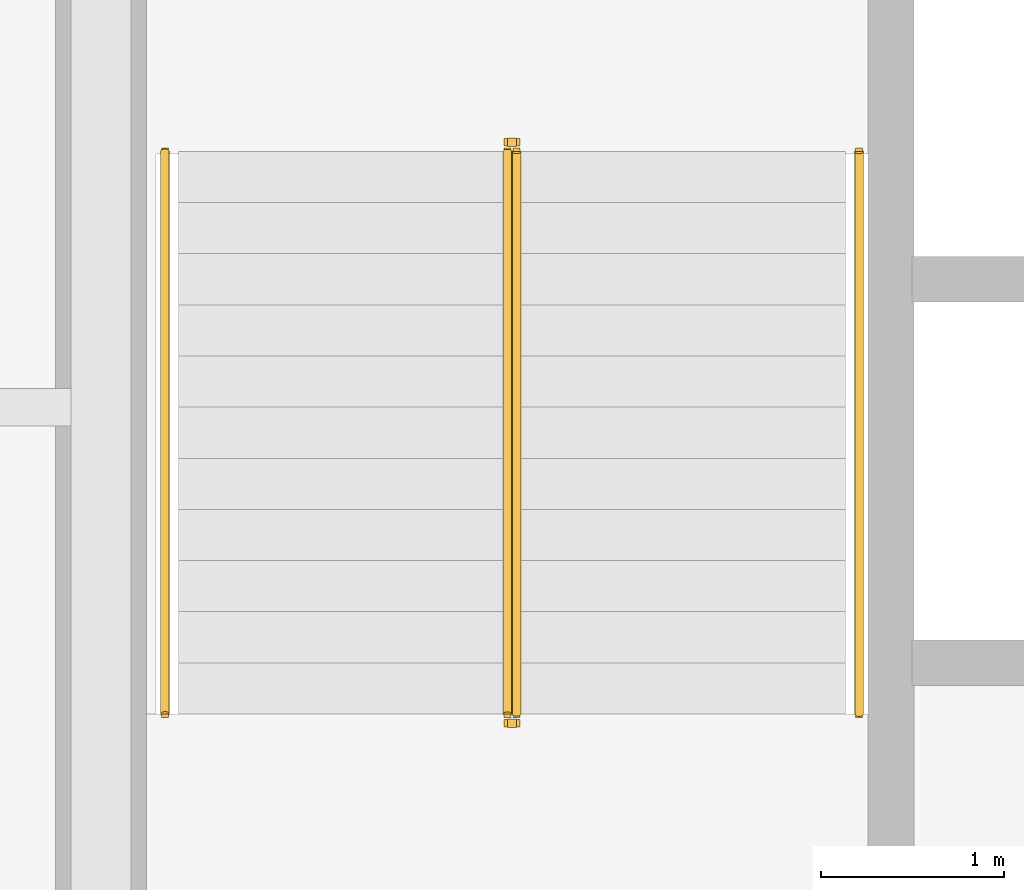
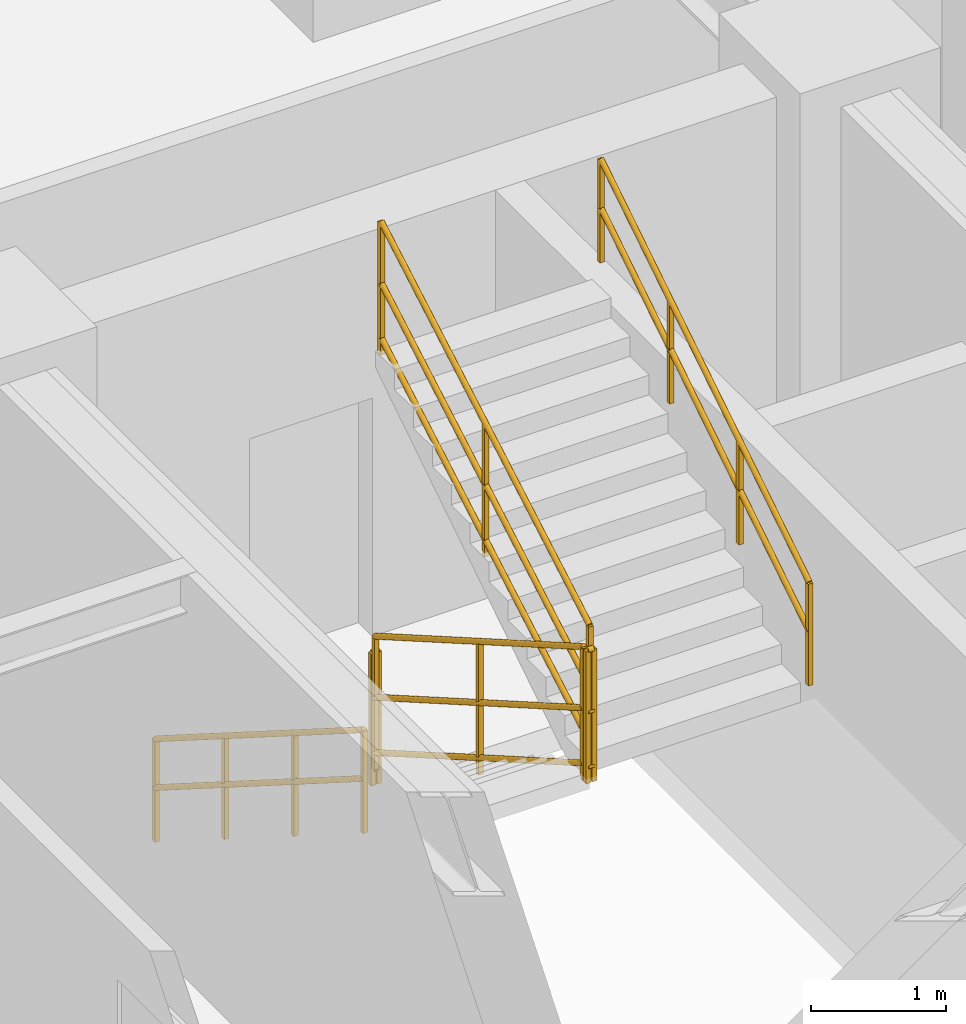
# One storey, part 8 of 8: 6 railings.
"""IFC4 building model written with IfcOpenShell, lengths in metres."""

from ifc_helpers import new_model, entity, si_unit, converted_unit, direction, frame, origin_with_axes, origin_2d_with_axis, place, context, subcontext, project, spatial, rectangle, circle, extrude, material, type_object, element, save


model = new_model("IFC4")

# Units and contexts
model_context = context("Model", 3, precision=1e-05, world=origin_with_axes(), true_north=direction((0.0, 1.0)))
body_context = subcontext(model_context, "Body", "Model", "MODEL_VIEW")
ifc_project = project(units=[si_unit("LENGTHUNIT", "METRE"), si_unit("AREAUNIT", "SQUARE_METRE"), si_unit("VOLUMEUNIT", "CUBIC_METRE"), converted_unit("PLANEANGLEUNIT", "DEGREE", entity("IfcPlaneAngleMeasure", 0.017453292519943295), si_unit("PLANEANGLEUNIT", "RADIAN"), dimensions=[0, 0, 0, 0, 0, 0, 0]), si_unit("MASSUNIT", "GRAM", prefix="KILO"), si_unit("THERMODYNAMICTEMPERATUREUNIT", "KELVIN")], contexts=[model_context])

# Site, building, storey
site_placement = place(None, origin_with_axes())
site = spatial("IfcSite", under=ifc_project, at=site_placement, CompositionType="ELEMENT")
building_placement = place(site_placement, origin_with_axes())
building = spatial("IfcBuilding", under=site, at=building_placement, Name="Varnlund Millrace Tower", CompositionType="ELEMENT")
storey_placement = place(building_placement, frame((0.0, 0.0, 116.4), z_axis=(0.0, 0.0, 1.0), x_axis=(1.0, 0.0, 0.0)))
storey = spatial("IfcBuildingStorey", under=building, at=storey_placement, Name="L28", CompositionType="ELEMENT", Elevation=116.4)

# Railings
ifc_material_1 = material(Name="Painted steel stair well balustrade guard", Category="steel")
railing_type_1 = type_object("IfcRailingType", Name="Type-StairGuard-1150", PredefinedType="GUARDRAIL", material=ifc_material_1)
railing_1_placement = place(storey_placement, frame((0.0, 0.0, -116.4), z_axis=(0.0, 0.0, 1.0), x_axis=(1.0, 0.0, 0.0)))
element("IfcRailing", 1, at=railing_1_placement, inside=storey, type_object=railing_type_1, Name="Type-StairGuard-1150", PredefinedType="GUARDRAIL", context=body_context, shape_type="SweptSolid", body=[
    extrude(circle(Radius=0.024, at=origin_2d_with_axis()), frame((13.625, 35.9, 117.727273), z_axis=(0.0, -0.866696, 0.498836), x_axis=(1.0, 0.0, 0.0)), (0.0, 0.0, 1.0), 3.553725),
    extrude(circle(Radius=0.024, at=origin_2d_with_axis()), frame((13.625, 35.9, 116.677273), z_axis=(0.0, -0.866696, 0.498836), x_axis=(1.0, 0.0, 0.0)), (0.0, 0.0, 1.0), 3.553725),
    extrude(circle(Radius=0.024, at=origin_2d_with_axis()), frame((13.625, 35.9, 117.175273), z_axis=(0.0, -0.866696, 0.498836), x_axis=(1.0, 0.0, 0.0)), (0.0, 0.0, 1.0), 3.553725),
    extrude(rectangle(XDim=0.04, YDim=0.04, at=origin_2d_with_axis()), frame((13.625, 35.9, 116.537273), z_axis=(0.0, 0.0, 1.0), x_axis=(1.0, 0.0, 0.0)), (0.0, 0.0, 1.0), 1.19),
    extrude(rectangle(XDim=0.04, YDim=0.04, at=origin_2d_with_axis()), frame((13.625, 34.36, 117.423636), z_axis=(0.0, 0.0, 1.0), x_axis=(1.0, 0.0, 0.0)), (0.0, 0.0, 1.0), 1.19),
    extrude(rectangle(XDim=0.04, YDim=0.04, at=origin_2d_with_axis()), frame((13.625, 32.82, 118.31), z_axis=(0.0, 0.0, 1.0), x_axis=(1.0, 0.0, 0.0)), (0.0, 0.0, 1.0), 1.19),
])
railing_2_placement = place(storey_placement, frame((0.0, 0.0, -116.4), z_axis=(0.0, 0.0, 1.0), x_axis=(1.0, 0.0, 0.0)))
element("IfcRailing", 2, at=railing_2_placement, inside=storey, type_object=railing_type_1, Name="Type-StairGuard-1150", PredefinedType="GUARDRAIL", context=body_context, shape_type="SweptSolid", body=[
    extrude(circle(Radius=0.024, at=origin_2d_with_axis()), frame((13.675, 32.77, 119.5), z_axis=(-1.0, 0.0, 0.0), x_axis=(0.0, -1.0, 0.0)), (0.0, 0.0, 1.0), 0.05),
    extrude(circle(Radius=0.024, at=origin_2d_with_axis()), frame((13.675, 32.77, 118.45), z_axis=(-1.0, 0.0, 0.0), x_axis=(0.0, -1.0, 0.0)), (0.0, 0.0, 1.0), 0.05),
    extrude(circle(Radius=0.024, at=origin_2d_with_axis()), frame((13.675, 32.77, 118.948), z_axis=(-1.0, 0.0, 0.0), x_axis=(0.0, -1.0, 0.0)), (0.0, 0.0, 1.0), 0.05),
    extrude(rectangle(XDim=0.04, YDim=0.04, at=origin_2d_with_axis()), frame((13.675, 32.77, 118.31), z_axis=(0.0, 0.0, 1.0), x_axis=(1.0, 0.0, 0.0)), (0.0, 0.0, 1.0), 1.19),
    extrude(rectangle(XDim=0.04, YDim=0.04, at=origin_2d_with_axis()), frame((13.625, 32.77, 118.31), z_axis=(0.0, 0.0, 1.0), x_axis=(1.0, 0.0, 0.0)), (0.0, 0.0, 1.0), 1.19),
])
railing_3_placement = place(storey_placement, frame((0.0, 0.0, -116.4), z_axis=(0.0, 0.0, 1.0), x_axis=(1.0, 0.0, 0.0)))
element("IfcRailing", 3, at=railing_3_placement, inside=storey, type_object=railing_type_1, Name="Type-StairGuard-1150", PredefinedType="GUARDRAIL", context=body_context, shape_type="SweptSolid", body=[
    extrude(circle(Radius=0.024, at=origin_2d_with_axis()), frame((13.675, 32.82, 119.677273), z_axis=(0.0, 0.866696, 0.498836), x_axis=(-1.0, 0.0, 0.0)), (0.0, 0.0, 1.0), 3.553725),
    extrude(circle(Radius=0.024, at=origin_2d_with_axis()), frame((13.675, 32.82, 118.627273), z_axis=(0.0, 0.866696, 0.498836), x_axis=(-1.0, 0.0, 0.0)), (0.0, 0.0, 1.0), 3.553725),
    extrude(circle(Radius=0.024, at=origin_2d_with_axis()), frame((13.675, 32.82, 119.125273), z_axis=(0.0, 0.866696, 0.498836), x_axis=(-1.0, 0.0, 0.0)), (0.0, 0.0, 1.0), 3.553725),
    extrude(rectangle(XDim=0.04, YDim=0.04, at=origin_2d_with_axis()), frame((13.675, 32.82, 118.487273), z_axis=(0.0, 0.0, 1.0), x_axis=(1.0, 0.0, 0.0)), (0.0, 0.0, 1.0), 1.19),
    extrude(rectangle(XDim=0.04, YDim=0.04, at=origin_2d_with_axis()), frame((13.675, 34.36, 119.373636), z_axis=(0.0, 0.0, 1.0), x_axis=(1.0, 0.0, 0.0)), (0.0, 0.0, 1.0), 1.19),
    extrude(rectangle(XDim=0.04, YDim=0.04, at=origin_2d_with_axis()), frame((13.675, 35.9, 120.26), z_axis=(0.0, 0.0, 1.0), x_axis=(1.0, 0.0, 0.0)), (0.0, 0.0, 1.0), 1.19),
])
railing_4_placement = place(storey_placement, frame((0.0, 0.0, -116.4), z_axis=(0.0, 0.0, 1.0), x_axis=(1.0, 0.0, 0.0)))
element("IfcRailing", 4, at=railing_4_placement, inside=storey, type_object=railing_type_1, Name="Type-StairGuard-1150", PredefinedType="GUARDRAIL", context=body_context, shape_type="SweptSolid", body=[
    extrude(circle(Radius=0.024, at=origin_2d_with_axis()), frame((13.675, 35.95, 117.55), z_axis=(-1.0, 0.0, 0.0), x_axis=(0.0, -1.0, 0.0)), (0.0, 0.0, 1.0), 0.05),
    extrude(circle(Radius=0.024, at=origin_2d_with_axis()), frame((13.675, 35.95, 116.5), z_axis=(-1.0, 0.0, 0.0), x_axis=(0.0, -1.0, 0.0)), (0.0, 0.0, 1.0), 0.05),
    extrude(circle(Radius=0.024, at=origin_2d_with_axis()), frame((13.675, 35.95, 116.998), z_axis=(-1.0, 0.0, 0.0), x_axis=(0.0, -1.0, 0.0)), (0.0, 0.0, 1.0), 0.05),
    extrude(rectangle(XDim=0.04, YDim=0.04, at=origin_2d_with_axis()), frame((13.675, 35.95, 116.36), z_axis=(0.0, 0.0, 1.0), x_axis=(1.0, 0.0, 0.0)), (0.0, 0.0, 1.0), 1.19),
    extrude(rectangle(XDim=0.04, YDim=0.04, at=origin_2d_with_axis()), frame((13.625, 35.95, 116.36), z_axis=(0.0, 0.0, 1.0), x_axis=(1.0, 0.0, 0.0)), (0.0, 0.0, 1.0), 1.19),
])
ifc_material_2 = material(Name="Brushed architectural bronze stair handrail", Category="aluminium")
railing_type_2 = type_object("IfcRailingType", Name="Type-StairHandrail-900", PredefinedType="HANDRAIL", material=ifc_material_2)
railing_5_placement = place(storey_placement, frame((0.0, 0.0, -116.4), z_axis=(0.0, 0.0, 1.0), x_axis=(1.0, 0.0, 0.0)))
element("IfcRailing", 5, at=railing_5_placement, inside=storey, type_object=railing_type_2, Name="Type-StairHandrail-900", PredefinedType="HANDRAIL", context=body_context, shape_type="SweptSolid", body=[
    extrude(circle(Radius=0.024, at=origin_2d_with_axis()), frame((11.75, 35.9, 117.456995), z_axis=(0.0, -0.844902, 0.534922), x_axis=(1.0, 0.0, 0.0)), (0.0, 0.0, 1.0), 3.645394),
    extrude(circle(Radius=0.024, at=origin_2d_with_axis()), frame((11.75, 35.9, 117.017134), z_axis=(0.0, -0.844902, 0.534922), x_axis=(1.0, 0.0, 0.0)), (0.0, 0.0, 1.0), 3.645394),
    extrude(rectangle(XDim=0.04, YDim=0.04, at=origin_2d_with_axis()), frame((11.75, 35.9, 116.537273), z_axis=(0.0, 0.0, 1.0), x_axis=(1.0, 0.0, 0.0)), (0.0, 0.0, 1.0), 0.919722),
    extrude(rectangle(XDim=0.04, YDim=0.04, at=origin_2d_with_axis()), frame((11.75, 34.873333, 117.187273), z_axis=(0.0, 0.0, 1.0), x_axis=(1.0, 0.0, 0.0)), (0.0, 0.0, 1.0), 0.919722),
    extrude(rectangle(XDim=0.04, YDim=0.04, at=origin_2d_with_axis()), frame((11.75, 33.846667, 117.837273), z_axis=(0.0, 0.0, 1.0), x_axis=(1.0, 0.0, 0.0)), (0.0, 0.0, 1.0), 0.919722),
    extrude(rectangle(XDim=0.04, YDim=0.04, at=origin_2d_with_axis()), frame((11.75, 32.82, 118.487273), z_axis=(0.0, 0.0, 1.0), x_axis=(1.0, 0.0, 0.0)), (0.0, 0.0, 1.0), 0.919722),
])
railing_6_placement = place(storey_placement, frame((0.0, 0.0, -116.4), z_axis=(0.0, 0.0, 1.0), x_axis=(1.0, 0.0, 0.0)))
element("IfcRailing", 6, at=railing_6_placement, inside=storey, type_object=railing_type_2, Name="Type-StairHandrail-900", PredefinedType="HANDRAIL", context=body_context, shape_type="SweptSolid", body=[
    extrude(circle(Radius=0.024, at=origin_2d_with_axis()), frame((15.55, 32.82, 119.406995), z_axis=(0.0, 0.844902, 0.534922), x_axis=(-1.0, 0.0, 0.0)), (0.0, 0.0, 1.0), 3.645394),
    extrude(circle(Radius=0.024, at=origin_2d_with_axis()), frame((15.55, 32.82, 118.967134), z_axis=(0.0, 0.844902, 0.534922), x_axis=(-1.0, 0.0, 0.0)), (0.0, 0.0, 1.0), 3.645394),
    extrude(rectangle(XDim=0.04, YDim=0.04, at=origin_2d_with_axis()), frame((15.55, 32.82, 118.487273), z_axis=(0.0, 0.0, 1.0), x_axis=(1.0, 0.0, 0.0)), (0.0, 0.0, 1.0), 0.919722),
    extrude(rectangle(XDim=0.04, YDim=0.04, at=origin_2d_with_axis()), frame((15.55, 33.846667, 119.137273), z_axis=(0.0, 0.0, 1.0), x_axis=(1.0, 0.0, 0.0)), (0.0, 0.0, 1.0), 0.919722),
    extrude(rectangle(XDim=0.04, YDim=0.04, at=origin_2d_with_axis()), frame((15.55, 34.873333, 119.787273), z_axis=(0.0, 0.0, 1.0), x_axis=(1.0, 0.0, 0.0)), (0.0, 0.0, 1.0), 0.919722),
    extrude(rectangle(XDim=0.04, YDim=0.04, at=origin_2d_with_axis()), frame((15.55, 35.9, 120.437273), z_axis=(0.0, 0.0, 1.0), x_axis=(1.0, 0.0, 0.0)), (0.0, 0.0, 1.0), 0.919722),
])

save(model, "model.ifc")
